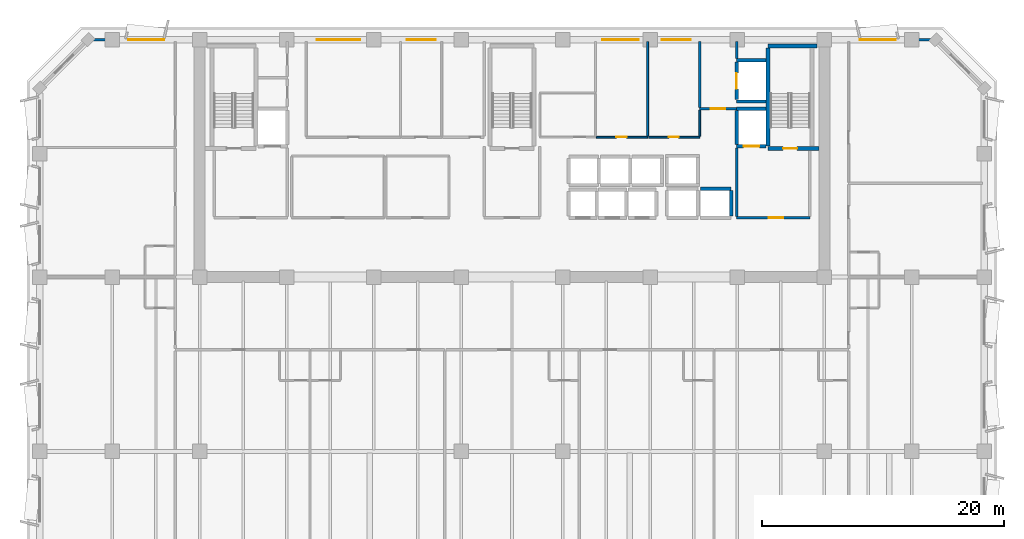
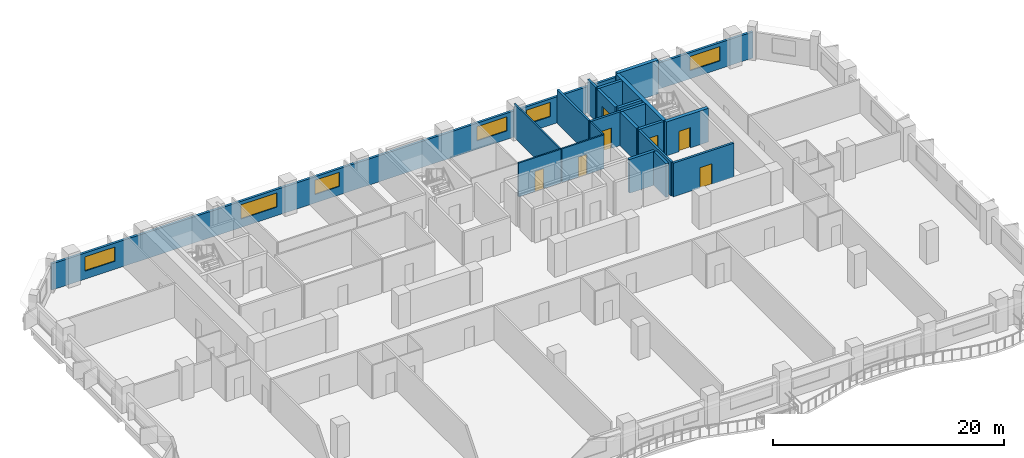
# One storey, part 7 of 14: 21 walls, 7 doors, 6 windows, 13 openings.
"""IFC4 building model written with IfcOpenShell, lengths in metres."""

from ifc_helpers import new_model, si_unit, direction, frame, frame_2d, origin, place, context, subcontext, project, spatial, rectangle, extrude, material, layer, layer_set, type_object, element, fill, save


model = new_model("IFC4")

# Units and contexts
model_context = context("Model", 3, precision=1e-05, world=origin(), true_north=direction((0.0, 1.0)))
body_context = subcontext(model_context, "Body", "Model", "MODEL_VIEW")
ifc_project = project(units=[si_unit("LENGTHUNIT", "METRE"), si_unit("AREAUNIT", "SQUARE_METRE"), si_unit("VOLUMEUNIT", "CUBIC_METRE"), si_unit("PLANEANGLEUNIT", "RADIAN"), si_unit("MASSUNIT", "GRAM", prefix="KILO")], contexts=[model_context])

# Site, building, storey
site_placement = place(None, origin())
site = spatial("IfcSite", under=ifc_project, at=site_placement, CompositionType="ELEMENT")
building_placement = place(site_placement, origin())
building = spatial("IfcBuilding", under=site, at=building_placement, Name="Kaelvorn Grand Hotel", CompositionType="ELEMENT")
storey_placement = place(building_placement, frame((0.0, 0.0, 205.35009765625)))
storey = spatial("IfcBuildingStorey", under=building, at=storey_placement, Name="L50", CompositionType="ELEMENT", Elevation=205.35009765625)

# Wall, openings, windows
ifc_material_1 = material(Name="Concrete C40/50", Category="concrete")
ifc_layer_1 = layer(ifc_material_1, 0.239990234375)
ifc_layer_set_1 = layer_set([ifc_layer_1], Name="Concrete C40/50")
wall_type_1 = type_object("IfcWallType", Name="WL-EXT-240-C40", PredefinedType="SOLIDWALL", material=ifc_layer_set_1)
wall_1_placement = place(storey_placement, frame((77.0, 49.0, 0.0), z_axis=(0.0, 0.0, 1.0), x_axis=(-1.0, 0.0, 0.0)))
wall_1 = element("IfcWall", 1, at=wall_1_placement, inside=storey, type_object=wall_type_1, Name="L50 Exterior Architectural Concrete Wall 05", PredefinedType="SOLIDWALL", context=body_context, shape_type="SweptSolid", body=[
    extrude(rectangle(XDim=70.0, YDim=0.239990234375, at=frame_2d((35.0, 0.0))), origin(), (0.0, 0.0, 1.0), 2.760009765625),
])
opening_1_placement = place(wall_1_placement, frame((63.699951171875, 0.0, 0.85009765625)))
opening_1 = element("IfcOpeningElement", 2, at=opening_1_placement, cuts=wall_1, Name="Opening W5", PredefinedType="OPENING", context=body_context, shape_type="SweptSolid", body=[
    extrude(rectangle(XDim=3.0, YDim=1.5, at=frame_2d((1.5, 0.75))), frame((0.0, 0.1298828125, 0.0), z_axis=(0.0, -1.0, 0.0), x_axis=(1.0, 0.0, 0.0)), (0.0, 0.0, 1.0), 0.260009765625),
])
opening_2_placement = place(wall_1_placement, frame((3.300048828125, 0.0, 0.85009765625)))
opening_2 = element("IfcOpeningElement", 3, at=opening_2_placement, cuts=wall_1, Name="Opening W5", PredefinedType="OPENING", context=body_context, shape_type="SweptSolid", body=[
    extrude(rectangle(XDim=3.0, YDim=1.5, at=frame_2d((1.5, 0.75))), frame((0.0, 0.1298828125, 0.0), z_axis=(0.0, -1.0, 0.0), x_axis=(1.0, 0.0, 0.0)), (0.0, 0.0, 1.0), 0.260009765625),
])
opening_3_placement = place(wall_1_placement, frame((47.514892578125, 0.0, 0.89990234375)))
opening_3 = element("IfcOpeningElement", 4, at=opening_3_placement, cuts=wall_1, Name="Opening W3", PredefinedType="OPENING", context=body_context, shape_type="SweptSolid", body=[
    extrude(rectangle(XDim=3.60009765625, YDim=1.5, at=frame_2d((1.800048828125, 0.75))), frame((0.0, 0.1298828125, 0.0), z_axis=(0.0, -1.0, 0.0), x_axis=(1.0, 0.0, 0.0)), (0.0, 0.0, 1.0), 0.260009765625),
])
opening_4_placement = place(wall_1_placement, frame((41.300048828125, 0.0, 0.89990234375)))
opening_4 = element("IfcOpeningElement", 5, at=opening_4_placement, cuts=wall_1, Name="Opening W6", PredefinedType="OPENING", context=body_context, shape_type="SweptSolid", body=[
    extrude(rectangle(XDim=2.39990234375, YDim=1.5, at=frame_2d((1.199951171875, 0.75))), frame((0.0, 0.1298828125, 0.0), z_axis=(0.0, -1.0, 0.0), x_axis=(1.0, 0.0, 0.0)), (0.0, 0.0, 1.0), 0.260009765625),
])
opening_5_placement = place(wall_1_placement, frame((24.550048828125, 0.0, 0.89990234375)))
opening_5 = element("IfcOpeningElement", 6, at=opening_5_placement, cuts=wall_1, Name="Opening W5", PredefinedType="OPENING", context=body_context, shape_type="SweptSolid", body=[
    extrude(rectangle(XDim=3.0, YDim=1.5, at=frame_2d((1.5, 0.75))), frame((0.0, 0.1298828125, 0.0), z_axis=(0.0, -1.0, 0.0), x_axis=(1.0, 0.0, 0.0)), (0.0, 0.0, 1.0), 0.260009765625),
])
opening_6_placement = place(wall_1_placement, frame((20.235107421875, 0.0, 0.89990234375)))
opening_6 = element("IfcOpeningElement", 7, at=opening_6_placement, cuts=wall_1, Name="Opening W6", PredefinedType="OPENING", context=body_context, shape_type="SweptSolid", body=[
    extrude(rectangle(XDim=2.39990234375, YDim=1.5, at=frame_2d((1.199951171875, 0.75))), frame((0.0, 0.1298828125, 0.0), z_axis=(0.0, -1.0, 0.0), x_axis=(1.0, 0.0, 0.0)), (0.0, 0.0, 1.0), 0.260009765625),
])
ifc_material_2 = material(Name="Laminated Low-E Glass", Category="glass")
window_type_1 = type_object("IfcWindowType", Name="WIN-NTH-2400x1500", PartitioningType="SINGLE_PANEL", PredefinedType="WINDOW", material=ifc_material_2)
window_1_placement = place(opening_4_placement, origin())
window_1 = element("IfcWindow", 8, at=window_1_placement, inside=storey, type_object=window_type_1, Name="L50 North Core Clerestory Ribbon Window NC04", OverallHeight=1.5, OverallWidth=2.39990234375, PartitioningType="SINGLE_PANEL", PredefinedType="WINDOW", context=body_context, shape_type="SweptSolid", body=[
    extrude(rectangle(XDim=2.39990234375, YDim=1.5, at=frame_2d((1.199951171875, 0.75))), frame((0.0, 0.030029296875, 0.0), z_axis=(0.0, -1.0, 0.0), x_axis=(1.0, 0.0, 0.0)), (0.0, 0.0, 1.0), 0.06005859375),
])
fill(opening_4, window_1)
window_2_placement = place(opening_6_placement, origin())
window_2 = element("IfcWindow", 9, at=window_2_placement, inside=storey, type_object=window_type_1, Name="L50 North Core Clerestory Ribbon Window NC06", OverallHeight=1.5, OverallWidth=2.39990234375, PartitioningType="SINGLE_PANEL", PredefinedType="WINDOW", context=body_context, shape_type="SweptSolid", body=[
    extrude(rectangle(XDim=2.39990234375, YDim=1.5, at=frame_2d((1.199951171875, 0.75))), frame((0.0, 0.030029296875, 0.0), z_axis=(0.0, -1.0, 0.0), x_axis=(1.0, 0.0, 0.0)), (0.0, 0.0, 1.0), 0.06005859375),
])
fill(opening_6, window_2)
window_type_2 = type_object("IfcWindowType", Name="WIN-NTH-3000x1500", PartitioningType="SINGLE_PANEL", PredefinedType="WINDOW", material=ifc_material_2)
window_3_placement = place(opening_1_placement, origin())
window_3 = element("IfcWindow", 10, at=window_3_placement, inside=storey, type_object=window_type_2, Name="L50 North Wing Ribbon Window NW01", OverallHeight=1.5, OverallWidth=3.0, PartitioningType="SINGLE_PANEL", PredefinedType="WINDOW", context=body_context, shape_type="SweptSolid", body=[
    extrude(rectangle(XDim=3.0, YDim=1.5, at=frame_2d((1.5, 0.75))), frame((0.0, 0.030029296875, 0.0), z_axis=(0.0, -1.0, 0.0), x_axis=(1.0, 0.0, 0.0)), (0.0, 0.0, 1.0), 0.06005859375),
])
fill(opening_1, window_3)
window_4_placement = place(opening_2_placement, origin())
window_4 = element("IfcWindow", 11, at=window_4_placement, inside=storey, type_object=window_type_2, Name="L50 North Wing Ribbon Window NW02", OverallHeight=1.5, OverallWidth=3.0, PartitioningType="SINGLE_PANEL", PredefinedType="WINDOW", context=body_context, shape_type="SweptSolid", body=[
    extrude(rectangle(XDim=3.0, YDim=1.5, at=frame_2d((1.5, 0.75))), frame((0.0, 0.030029296875, 0.0), z_axis=(0.0, -1.0, 0.0), x_axis=(1.0, 0.0, 0.0)), (0.0, 0.0, 1.0), 0.06005859375),
])
fill(opening_2, window_4)
window_5_placement = place(opening_5_placement, origin())
window_5 = element("IfcWindow", 12, at=window_5_placement, inside=storey, type_object=window_type_2, Name="L50 North Core Clerestory Ribbon Window NC05", OverallHeight=1.5, OverallWidth=3.0, PartitioningType="SINGLE_PANEL", PredefinedType="WINDOW", context=body_context, shape_type="SweptSolid", body=[
    extrude(rectangle(XDim=3.0, YDim=1.5, at=frame_2d((1.5, 0.75))), frame((0.0, 0.030029296875, 0.0), z_axis=(0.0, -1.0, 0.0), x_axis=(1.0, 0.0, 0.0)), (0.0, 0.0, 1.0), 0.06005859375),
])
fill(opening_5, window_5)
window_type_3 = type_object("IfcWindowType", Name="WIN-RIB-3600x1750", PartitioningType="SINGLE_PANEL", PredefinedType="WINDOW", material=ifc_material_2)
window_6_placement = place(opening_3_placement, origin())
window_6 = element("IfcWindow", 13, at=window_6_placement, inside=storey, type_object=window_type_3, Name="L50 North Core Clerestory Ribbon Window NC03", OverallHeight=1.5, OverallWidth=3.60009765625, PartitioningType="SINGLE_PANEL", PredefinedType="WINDOW", context=body_context, shape_type="SweptSolid", body=[
    extrude(rectangle(XDim=3.60009765625, YDim=1.5, at=frame_2d((1.800048828125, 0.75))), frame((0.0, 0.030029296875, 0.0), z_axis=(0.0, -1.0, 0.0), x_axis=(1.0, 0.0, 0.0)), (0.0, 0.0, 1.0), 0.06005859375),
])
fill(opening_3, window_6)

# Wall, opening, door
ifc_material_3 = material(Name="Acoustic Gypsum & Stud Partition")
ifc_layer_2 = layer(ifc_material_3, 0.14990234375)
ifc_layer_set_2 = layer_set([ifc_layer_2], Name="Acoustic Gypsum & Stud Partition")
wall_type_2 = type_object("IfcWallType", Name="WL-PART-150-EI60", PredefinedType="PARTITIONING", material=ifc_layer_set_2)
wall_2_placement = place(storey_placement, frame((48.967529296875, 40.949951171875, 0.0), z_axis=(0.0, 0.0, 1.0), x_axis=(1.0, 0.0, 0.0)))
wall_2 = element("IfcWall", 14, at=wall_2_placement, inside=storey, type_object=wall_type_2, Name="L50 Minibar & Glassware Store S Partition", PredefinedType="PARTITIONING", context=body_context, shape_type="SweptSolid", body=[
    extrude(rectangle(XDim=4.232421875, YDim=0.14990234375, at=frame_2d((2.1162109375, 0.0))), origin(), (0.0, 0.0, 1.0), 3.559814453125),
])
opening_7_placement = place(wall_2_placement, frame((1.657470703125, 0.0, 0.0)))
opening_7 = element("IfcOpeningElement", 15, at=opening_7_placement, cuts=wall_2, Name="Opening DI7", PredefinedType="OPENING", context=body_context, shape_type="SweptSolid", body=[
    extrude(rectangle(XDim=0.85009765625, YDim=2.10009765625, at=frame_2d((0.425048828125, 1.050048828125))), frame((0.0, 0.0849609375, 0.0), z_axis=(0.0, -1.0, 0.0), x_axis=(1.0, 0.0, 0.0)), (0.0, 0.0, 1.0), 0.169921875),
])
ifc_material_4 = material(Name="Powder-Coated Steel Leaf", Category="steel")
door_type_1 = type_object("IfcDoorType", Name="DR-INT-RISER-850x2100", OperationType="NOTDEFINED", PredefinedType="DOOR", material=ifc_material_4)
door_1_placement = place(opening_7_placement, origin())
door_1 = element("IfcDoor", 16, at=door_1_placement, inside=storey, type_object=door_type_1, Name="L50 Minibar & Glassware Store Door", OperationType="SINGLE_SWING_LEFT", OverallHeight=2.10009765625, OverallWidth=0.85009765625, PredefinedType="DOOR", context=body_context, shape_type="SweptSolid", body=[
    extrude(rectangle(XDim=0.85009765625, YDim=2.10009765625, at=frame_2d((0.425048828125, 1.050048828125))), frame((0.0, 0.02490234375, 0.0), z_axis=(0.0, -1.0, 0.0), x_axis=(1.0, 0.0, 0.0)), (0.0, 0.0, 1.0), 0.050048828125),
])
fill(opening_7, door_1)

# Wall
wall_3_placement = place(storey_placement, frame((53.199951171875, 41.030029296875, 0.0), z_axis=(0.0, 0.0, 1.0), x_axis=(0.0, 1.0, 0.0)))
element("IfcWall", 17, at=wall_3_placement, inside=storey, type_object=wall_type_2, Name="L50 Minibar & Glassware Store E Partition", PredefinedType="PARTITIONING", context=body_context, shape_type="SweptSolid", body=[
    extrude(rectangle(XDim=7.820068359375, YDim=0.14990234375, at=frame_2d((3.91015625, 0.0))), origin(), (0.0, 0.0, 1.0), 3.559814453125),
])

# Wall, opening, door
wall_4_placement = place(storey_placement, frame((53.280029296875, 40.949951171875, 0.0), z_axis=(0.0, 0.0, 1.0), x_axis=(1.0, 0.0, 0.0)))
wall_4 = element("IfcWall", 18, at=wall_4_placement, inside=storey, type_object=wall_type_2, Name="L50 Floor IT & Comms Room S Partition", PredefinedType="PARTITIONING", context=body_context, shape_type="SweptSolid", body=[
    extrude(rectangle(XDim=4.219970703125, YDim=0.14990234375, at=frame_2d((2.10986328125, 0.0))), origin(), (0.0, 0.0, 1.0), 3.559814453125),
])
opening_8_placement = place(wall_4_placement, frame((1.64501953125, 0.0, 0.0)))
opening_8 = element("IfcOpeningElement", 19, at=opening_8_placement, cuts=wall_4, Name="Opening DI7", PredefinedType="OPENING", context=body_context, shape_type="SweptSolid", body=[
    extrude(rectangle(XDim=0.85009765625, YDim=2.10009765625, at=frame_2d((0.425048828125, 1.050048828125))), frame((0.0, 0.0849609375, 0.0), z_axis=(0.0, -1.0, 0.0), x_axis=(1.0, 0.0, 0.0)), (0.0, 0.0, 1.0), 0.169921875),
])
door_2_placement = place(opening_8_placement, origin())
door_2 = element("IfcDoor", 20, at=door_2_placement, inside=storey, type_object=door_type_1, Name="L50 Floor IT & Comms Room Door", OperationType="SINGLE_SWING_RIGHT", OverallHeight=2.10009765625, OverallWidth=0.85009765625, PredefinedType="DOOR", context=body_context, shape_type="SweptSolid", body=[
    extrude(rectangle(XDim=0.85009765625, YDim=2.10009765625, at=frame_2d((0.425048828125, 1.050048828125))), frame((0.0, 0.02490234375, 0.0), z_axis=(0.0, -1.0, 0.0), x_axis=(1.0, 0.0, 0.0)), (0.0, 0.0, 1.0), 0.050048828125),
])
fill(opening_8, door_2)

# Wall
wall_5_placement = place(storey_placement, frame((57.5, 41.030029296875, 0.0), z_axis=(0.0, 0.0, 1.0), x_axis=(0.0, 1.0, 0.0)))
element("IfcWall", 21, at=wall_5_placement, inside=storey, type_object=wall_type_2, Name="L50 Floor IT & Comms Room E Partition", PredefinedType="PARTITIONING", context=body_context, shape_type="SweptSolid", body=[
    extrude(rectangle(XDim=2.155029296875, YDim=0.14990234375, at=frame_2d((1.07763671875, 0.0))), origin(), (0.0, 0.0, 1.0), 3.559814453125),
])

# Wall, opening, door
ifc_layer_3 = layer(ifc_material_1, 0.219970703125)
ifc_layer_set_3 = layer_set([ifc_layer_3], Name="Concrete C40/50")
wall_type_3 = type_object("IfcWallType", Name="WL-PART-220-EI120", PredefinedType="PARTITIONING", material=ifc_layer_set_3)
wall_6_placement = place(storey_placement, frame((60.550048828125, 34.300048828125, 0.0), z_axis=(0.0, 0.0, 1.0), x_axis=(1.0, 0.0, 0.0)))
wall_6 = element("IfcWall", 22, at=wall_6_placement, inside=storey, type_object=wall_type_3, Name="L50 Firefighting Lift Lobby 2 S Partition", PredefinedType="PARTITIONING", context=body_context, shape_type="SweptSolid", body=[
    extrude(rectangle(XDim=6.050048828125, YDim=0.219970703125, at=frame_2d((3.02490234375, 0.0))), origin(), (0.0, 0.0, 1.0), 3.559814453125),
])
opening_9_placement = place(wall_6_placement, frame((2.64990234375, 0.0, 0.0)))
opening_9 = element("IfcOpeningElement", 23, at=opening_9_placement, cuts=wall_6, Name="Opening DI2", PredefinedType="OPENING", context=body_context, shape_type="SweptSolid", body=[
    extrude(rectangle(XDim=1.199951171875, YDim=2.14990234375, at=frame_2d((0.60009765625, 1.074951171875))), frame((0.0, 0.1201171875, 0.0), z_axis=(0.0, -1.0, 0.0), x_axis=(1.0, 0.0, 0.0)), (0.0, 0.0, 1.0), 0.239990234375),
])
ifc_material_5 = material(Name="Timber Veneer Fire Leaf", Category="wood")
door_type_2 = type_object("IfcDoorType", Name="DR-INT-FFLOB-1200x2150", OperationType="NOTDEFINED", PredefinedType="DOOR", material=ifc_material_5)
door_3_placement = place(opening_9_placement, origin())
door_3 = element("IfcDoor", 24, at=door_3_placement, inside=storey, type_object=door_type_2, Name="L50 Firefighting Lift Lobby 2 Door", OperationType="SINGLE_SWING_RIGHT", OverallHeight=2.14990234375, OverallWidth=1.199951171875, PredefinedType="DOOR", context=body_context, shape_type="SweptSolid", body=[
    extrude(rectangle(XDim=1.199951171875, YDim=2.14990234375, at=frame_2d((0.60009765625, 1.074951171875))), frame((0.0, 0.02490234375, 0.0), z_axis=(0.0, -1.0, 0.0), x_axis=(1.0, 0.0, 0.0)), (0.0, 0.0, 1.0), 0.050048828125),
])
fill(opening_9, door_3)

# Wall
wall_7_placement = place(storey_placement, frame((60.550048828125, 34.4150390625, 0.0), z_axis=(0.0, 0.0, 1.0), x_axis=(0.0, 1.0, 0.0)))
element("IfcWall", 25, at=wall_7_placement, inside=storey, type_object=wall_type_3, Name="L50 Firefighting Lift Lobby 2 W Partition", PredefinedType="PARTITIONING", context=body_context, shape_type="SweptSolid", body=[
    extrude(rectangle(XDim=5.639892578125, YDim=0.219970703125, at=frame_2d((2.81982421875, 0.0))), origin(), (0.0, 0.0, 1.0), 3.559814453125),
])

# Wall, opening, door
wall_8_placement = place(storey_placement, frame((57.5, 43.300048828125, 0.0), z_axis=(0.0, 0.0, 1.0), x_axis=(1.0, 0.0, 0.0)))
wall_8 = element("IfcWall", 26, at=wall_8_placement, inside=storey, type_object=wall_type_3, Name="L50 Service Lift Lobby S Partition", PredefinedType="PARTITIONING", context=body_context, shape_type="SweptSolid", body=[
    extrude(rectangle(XDim=3.0400390625, YDim=0.219970703125, at=frame_2d((1.52001953125, 0.0))), origin(), (0.0, 0.0, 1.0), 3.559814453125),
])
opening_10_placement = place(wall_8_placement, frame((0.89990234375, 0.0, 0.0)))
opening_10 = element("IfcOpeningElement", 27, at=opening_10_placement, cuts=wall_8, Name="Opening DI2", PredefinedType="OPENING", context=body_context, shape_type="SweptSolid", body=[
    extrude(rectangle(XDim=1.199951171875, YDim=2.14990234375, at=frame_2d((0.60009765625, 1.074951171875))), frame((0.0, 0.1201171875, 0.0), z_axis=(0.0, -1.0, 0.0), x_axis=(1.0, 0.0, 0.0)), (0.0, 0.0, 1.0), 0.239990234375),
])
door_4_placement = place(opening_10_placement, origin())
door_4 = element("IfcDoor", 28, at=door_4_placement, inside=storey, type_object=door_type_2, Name="L50 Service Lift Lobby Door", OperationType="SINGLE_SWING_RIGHT", OverallHeight=2.14990234375, OverallWidth=1.199951171875, PredefinedType="DOOR", context=body_context, shape_type="SweptSolid", body=[
    extrude(rectangle(XDim=1.199951171875, YDim=2.14990234375, at=frame_2d((0.60009765625, 1.074951171875))), frame((0.0, 0.02490234375, 0.0), z_axis=(0.0, -1.0, 0.0), x_axis=(1.0, 0.0, 0.0)), (0.0, 0.0, 1.0), 0.050048828125),
])
fill(opening_10, door_4)

# Walls
wall_9_placement = place(storey_placement, frame((57.5, 43.4150390625, 0.0), z_axis=(0.0, 0.0, 1.0), x_axis=(0.0, 1.0, 0.0)))
element("IfcWall", 29, at=wall_9_placement, inside=storey, type_object=wall_type_3, Name="L50 Service Lift Lobby W Partition", PredefinedType="PARTITIONING", context=body_context, shape_type="SweptSolid", body=[
    extrude(rectangle(XDim=5.43505859375, YDim=0.219970703125, at=frame_2d((2.717529296875, 0.0))), origin(), (0.0, 0.0, 1.0), 3.559814453125),
])
wall_10_placement = place(storey_placement, frame((60.550048828125, 47.445068359375, 0.0), z_axis=(0.0, 0.0, 1.0), x_axis=(0.0, 1.0, 0.0)))
element("IfcWall", 30, at=wall_10_placement, inside=storey, type_object=wall_type_3, Name="L50 Service Lift Lobby E Partition", PredefinedType="PARTITIONING", context=body_context, shape_type="SweptSolid", body=[
    extrude(rectangle(XDim=1.405029296875, YDim=0.219970703125, at=frame_2d((0.70263671875, 0.0))), origin(), (0.0, 0.0, 1.0), 3.559814453125),
])
ifc_material_6 = material(Name="Concrete C50/60", Category="concrete")
ifc_layer_4 = layer(ifc_material_6, 0.280029296875)
ifc_layer_set_4 = layer_set([ifc_layer_4], Name="Concrete C50/60")
wall_type_4 = type_object("IfcWallType", Name="WL-SHAFT-280-C50", PredefinedType="SHEAR", material=ifc_layer_set_4)
wall_11_placement = place(storey_placement, frame((57.550048828125, 36.699951171875, 0.0), z_axis=(0.0, 0.0, 1.0), x_axis=(1.0, 0.0, 0.0)))
element("IfcWall", 31, at=wall_11_placement, inside=storey, type_object=wall_type_4, Name="L50 Lift OL-2 Shaft North Wall", PredefinedType="SHEAR", context=body_context, shape_type="SweptSolid", body=[
    extrude(rectangle(XDim=2.550048828125, YDim=0.280029296875, at=frame_2d((1.27490234375, 0.0))), origin(), (0.0, 0.0, 1.0), 3.559814453125),
])
wall_12_placement = place(storey_placement, frame((60.10009765625, 34.445068359375, 0.0), z_axis=(0.0, 0.0, 1.0), x_axis=(0.0, 1.0, 0.0)))
element("IfcWall", 32, at=wall_12_placement, inside=storey, type_object=wall_type_4, Name="L50 Lift OL-2 Shaft East Wall", PredefinedType="SHEAR", context=body_context, shape_type="SweptSolid", body=[
    extrude(rectangle(XDim=2.10986328125, YDim=0.280029296875, at=frame_2d((1.054931640625, 0.0))), origin(), (0.0, 0.0, 1.0), 3.559814453125),
])

# Wall, opening, door
wall_13_placement = place(storey_placement, frame((60.550048828125, 40.199951171875, 0.0), z_axis=(0.0, 0.0, 1.0), x_axis=(1.0, 0.0, 0.0)))
wall_13 = element("IfcWall", 33, at=wall_13_placement, inside=storey, type_object=wall_type_4, Name="L50 Lift FFL2 Shaft South Wall", PredefinedType="SHEAR", context=body_context, shape_type="SweptSolid", body=[
    extrude(rectangle(XDim=2.4150390625, YDim=0.280029296875, at=frame_2d((1.20751953125, 0.0))), origin(), (0.0, 0.0, 1.0), 3.559814453125),
])
opening_11_placement = place(wall_13_placement, frame((0.574951171875, 0.0, 0.0)))
opening_11 = element("IfcOpeningElement", 34, at=opening_11_placement, cuts=wall_13, Name="Opening LD-FFL2", PredefinedType="OPENING", context=body_context, shape_type="SweptSolid", body=[
    extrude(rectangle(XDim=1.300048828125, YDim=2.300048828125, at=frame_2d((0.64990234375, 1.14990234375))), frame((0.0, 0.14990234375, 0.0), z_axis=(0.0, -1.0, 0.0), x_axis=(1.0, 0.0, 0.0)), (0.0, 0.0, 1.0), 0.300048828125),
])
ifc_material_7 = material(Name="Stainless Steel", Category="steel")
door_type_3 = type_object("IfcDoorType", Name="DR-LIFT-SERV-1300x2300", OperationType="DOUBLE_DOOR_SLIDING", PredefinedType="DOOR", material=ifc_material_7)
door_5_placement = place(opening_11_placement, origin())
door_5 = element("IfcDoor", 35, at=door_5_placement, inside=storey, type_object=door_type_3, Name="L50 Lift FFL2 Sliding Landing Door LD-FFL2", OperationType="DOUBLE_DOOR_SLIDING", OverallHeight=2.300048828125, OverallWidth=1.300048828125, PredefinedType="DOOR", context=body_context, shape_type="SweptSolid", body=[
    extrude(rectangle(XDim=1.300048828125, YDim=2.300048828125, at=frame_2d((0.64990234375, 1.14990234375))), frame((0.0, 0.02490234375, 0.0), z_axis=(0.0, -1.0, 0.0), x_axis=(1.0, 0.0, 0.0)), (0.0, 0.0, 1.0), 0.050048828125),
])
fill(opening_11, door_5)

# Walls
wall_14_placement = place(storey_placement, frame((60.550048828125, 43.300048828125, 0.0), z_axis=(0.0, 0.0, 1.0), x_axis=(1.0, 0.0, 0.0)))
element("IfcWall", 36, at=wall_14_placement, inside=storey, type_object=wall_type_4, Name="L50 Lift FFL2 Shaft North Wall", PredefinedType="SHEAR", context=body_context, shape_type="SweptSolid", body=[
    extrude(rectangle(XDim=2.4150390625, YDim=0.280029296875, at=frame_2d((1.20751953125, 0.0))), origin(), (0.0, 0.0, 1.0), 3.559814453125),
])
wall_15_placement = place(storey_placement, frame((60.550048828125, 40.344970703125, 0.0), z_axis=(0.0, 0.0, 1.0), x_axis=(0.0, 1.0, 0.0)))
element("IfcWall", 37, at=wall_15_placement, inside=storey, type_object=wall_type_4, Name="L50 Lift FFL2 Shaft West Wall", PredefinedType="SHEAR", context=body_context, shape_type="SweptSolid", body=[
    extrude(rectangle(XDim=2.81005859375, YDim=0.280029296875, at=frame_2d((1.405029296875, 0.0))), origin(), (0.0, 0.0, 1.0), 3.559814453125),
])
for number, where, z_axis, x_axis, name in (
    (38, (60.550048828125, 43.89990234375, 0.0), (0.0, 0.0, 1.0), (1.0, 0.0, 0.0), "L50 Lift SV1 Shaft South Wall"),
    (39, (60.550048828125, 47.300048828125, 0.0), (0.0, 0.0, 1.0), (1.0, 0.0, 0.0), "L50 Lift SV1 Shaft North Wall"),
):
    element("IfcWall", number, at=place(storey_placement, frame(where, z_axis=z_axis, x_axis=x_axis)), inside=storey, type_object=wall_type_4, Name=name, PredefinedType="SHEAR", context=body_context, shape_type="SweptSolid", body=[
        extrude(rectangle(XDim=2.4150390625, YDim=0.280029296875, at=frame_2d((1.20751953125, 0.0))), origin(), (0.0, 0.0, 1.0), 3.559814453125),
    ])

# Wall, opening, door
wall_16_placement = place(storey_placement, frame((60.550048828125, 44.044921875, 0.0), z_axis=(0.0, 0.0, 1.0), x_axis=(0.0, 1.0, 0.0)))
wall_16 = element("IfcWall", 40, at=wall_16_placement, inside=storey, type_object=wall_type_4, Name="L50 Lift SV1 Shaft West Wall", PredefinedType="SHEAR", context=body_context, shape_type="SweptSolid", body=[
    extrude(rectangle(XDim=3.110107421875, YDim=0.280029296875, at=frame_2d((1.55517578125, 0.0))), origin(), (0.0, 0.0, 1.0), 3.559814453125),
])
opening_12_placement = place(wall_16_placement, frame((0.905029296875, 0.0, 0.0)))
opening_12 = element("IfcOpeningElement", 41, at=opening_12_placement, cuts=wall_16, Name="Opening LD-SV1", PredefinedType="OPENING", context=body_context, shape_type="SweptSolid", body=[
    extrude(rectangle(XDim=1.300048828125, YDim=2.300048828125, at=frame_2d((0.64990234375, 1.14990234375))), frame((0.0, 0.14990234375, 0.0), z_axis=(0.0, -1.0, 0.0), x_axis=(1.0, 0.0, 0.0)), (0.0, 0.0, 1.0), 0.300048828125),
])
door_6_placement = place(opening_12_placement, origin())
door_6 = element("IfcDoor", 42, at=door_6_placement, inside=storey, type_object=door_type_3, Name="L50 Lift SV1 Sliding Landing Door LD-SV1", OperationType="DOUBLE_DOOR_SLIDING", OverallHeight=2.300048828125, OverallWidth=1.300048828125, PredefinedType="DOOR", context=body_context, shape_type="SweptSolid", body=[
    extrude(rectangle(XDim=1.300048828125, YDim=2.300048828125, at=frame_2d((0.64990234375, 1.14990234375))), frame((0.0, 0.02490234375, 0.0), z_axis=(0.0, -1.0, 0.0), x_axis=(1.0, 0.0, 0.0)), (0.0, 0.0, 1.0), 0.050048828125),
])
fill(opening_12, door_6)

ifc_material_8 = material(Name="Concrete C60/75", Category="concrete")
ifc_layer_5 = layer(ifc_material_8, 0.35009765625)
ifc_layer_set_5 = layer_set([ifc_layer_5], Name="Concrete C60/75")
wall_type_5 = type_object("IfcWallType", Name="WL-SHAFT-350-C60", PredefinedType="SHEAR", material=ifc_layer_set_5)
wall_17_placement = place(storey_placement, frame((63.14501953125, 40.02490234375, 0.0), z_axis=(0.0, 0.0, 1.0), x_axis=(1.0, 0.0, 0.0)))
wall_17 = element("IfcWall", 43, at=wall_17_placement, inside=storey, type_object=wall_type_5, Name="L50 ST3 Stair Shaft South Wall", PredefinedType="SHEAR", context=body_context, shape_type="SweptSolid", body=[
    extrude(rectangle(XDim=4.199951171875, YDim=0.35009765625, at=frame_2d((2.10009765625, 0.0))), origin(), (0.0, 0.0, 1.0), 3.559814453125),
])
opening_13_placement = place(wall_17_placement, frame((1.239990234375, 0.0, 0.0)))
opening_13 = element("IfcOpeningElement", 44, at=opening_13_placement, cuts=wall_17, Name="Opening DI1", PredefinedType="OPENING", context=body_context, shape_type="SweptSolid", body=[
    extrude(rectangle(XDim=1.14990234375, YDim=2.14990234375, at=frame_2d((0.574951171875, 1.074951171875))), frame((0.0, 0.18505859375, 0.0), z_axis=(0.0, -1.0, 0.0), x_axis=(1.0, 0.0, 0.0)), (0.0, 0.0, 1.0), 0.3701171875),
])
door_type_4 = type_object("IfcDoorType", Name="DR-INT-STAIR-1150x2150", OperationType="NOTDEFINED", PredefinedType="DOOR", material=ifc_material_5)
door_7_placement = place(opening_13_placement, origin())
door_7 = element("IfcDoor", 45, at=door_7_placement, inside=storey, type_object=door_type_4, Name="L50 ST3 Exit Stair Fire Door", OperationType="SINGLE_SWING_RIGHT", OverallHeight=2.14990234375, OverallWidth=1.14990234375, PredefinedType="DOOR", context=body_context, shape_type="SweptSolid", body=[
    extrude(rectangle(XDim=1.14990234375, YDim=2.14990234375, at=frame_2d((0.574951171875, 1.074951171875))), frame((0.0, 0.02490234375, 0.0), z_axis=(0.0, -1.0, 0.0), x_axis=(1.0, 0.0, 0.0)), (0.0, 0.0, 1.0), 0.050048828125),
])
fill(opening_13, door_7)

# Walls
wall_18_placement = place(storey_placement, frame((63.14501953125, 48.47509765625, 0.0), z_axis=(0.0, 0.0, 1.0), x_axis=(1.0, 0.0, 0.0)))
element("IfcWall", 46, at=wall_18_placement, inside=storey, type_object=wall_type_5, Name="L50 ST3 Stair Shaft North Wall", PredefinedType="SHEAR", context=body_context, shape_type="SweptSolid", body=[
    extrude(rectangle(XDim=4.050048828125, YDim=0.35009765625, at=frame_2d((2.02490234375, 0.0))), origin(), (0.0, 0.0, 1.0), 3.559814453125),
])
wall_19_placement = place(storey_placement, frame((63.14501953125, 40.205078125, 0.0), z_axis=(0.0, 0.0, 1.0), x_axis=(0.0, 1.0, 0.0)))
element("IfcWall", 47, at=wall_19_placement, inside=storey, type_object=wall_type_5, Name="L50 ST3 Stair Shaft West Wall", PredefinedType="SHEAR", context=body_context, shape_type="SweptSolid", body=[
    extrude(rectangle(XDim=8.08984375, YDim=0.35009765625, at=frame_2d((4.044921875, 0.0))), origin(), (0.0, 0.0, 1.0), 3.559814453125),
])

save(model, "model.ifc")
